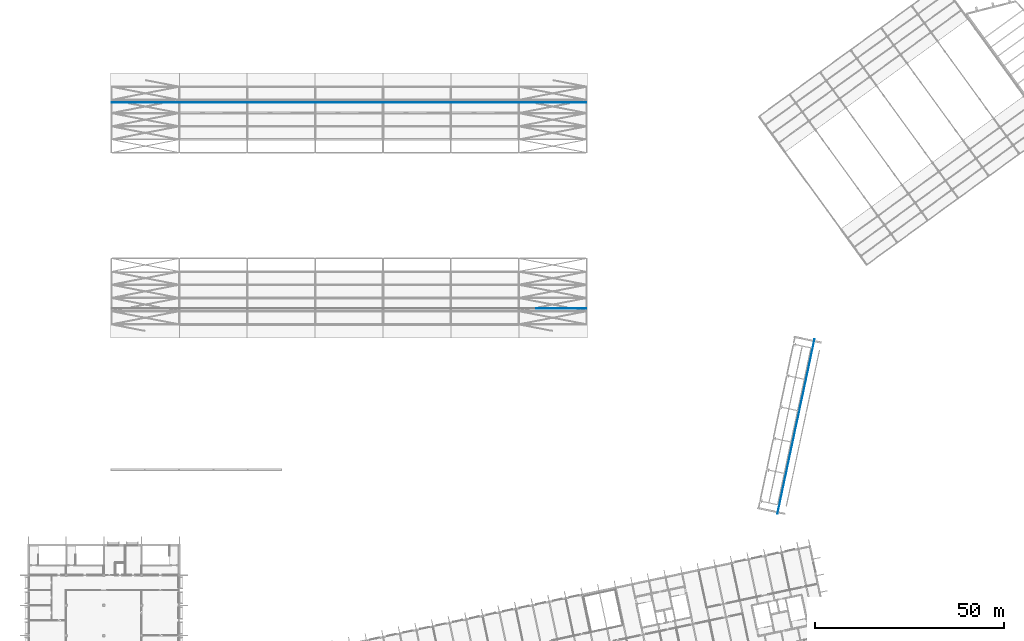
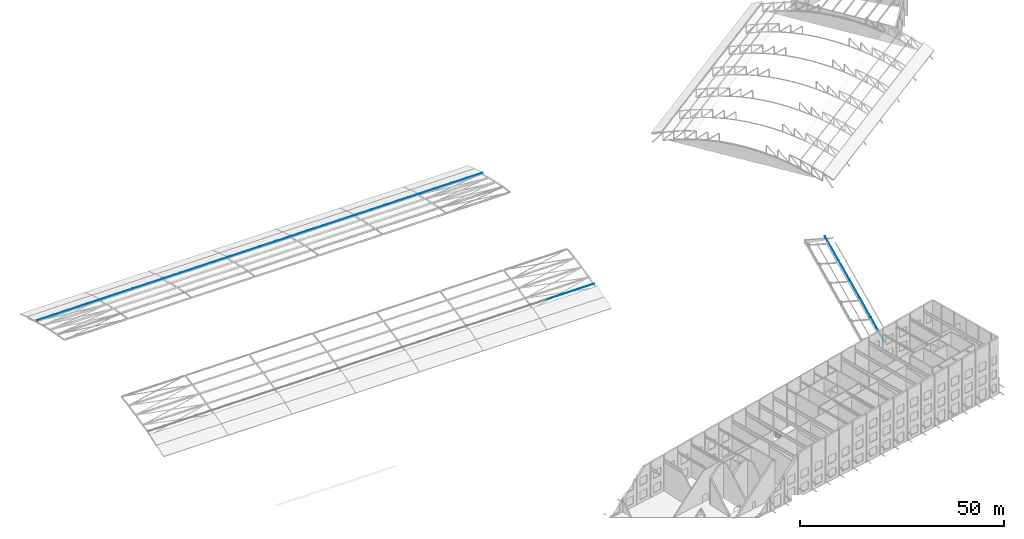
# One storey, part 54 of 69: 36 discrete accessories.
"""IFC4 building model written with IfcOpenShell, lengths in metres."""

from ifc_helpers import new_model, si_unit, direction, frame, origin, place, context, subcontext, project, spatial, polyline, outline, extrude, material, type_object, element, save


model = new_model("IFC4")

# Units and contexts
model_context = context("Model", 3, precision=1e-05, world=origin(), true_north=direction((0.0, 1.0)))
body_context = subcontext(model_context, "Body", "Model", "MODEL_VIEW")
ifc_project = project(units=[si_unit("LENGTHUNIT", "METRE"), si_unit("AREAUNIT", "SQUARE_METRE"), si_unit("VOLUMEUNIT", "CUBIC_METRE"), si_unit("PLANEANGLEUNIT", "RADIAN"), si_unit("MASSUNIT", "GRAM", prefix="KILO")], contexts=[model_context])

# Site, building, storey
site_placement = place(None, origin())
site = spatial("IfcSite", under=ifc_project, at=site_placement, CompositionType="ELEMENT")
building_placement = place(site_placement, origin())
building = spatial("IfcBuilding", under=site, at=building_placement, Name="Okhra Congress Centre", CompositionType="ELEMENT")
storey_placement = place(building_placement, frame((0.0, 0.0, 16.800048828125)))
storey = spatial("IfcBuildingStorey", under=building, at=storey_placement, Name="L03", CompositionType="ELEMENT", Elevation=16.800048828125)

# Discrete accessories
ifc_material_1 = material(Name="Stainless steel snow retention bar clamped to the standing seams", Category="steel")
discrete_accessory_type_1 = type_object("IfcDiscreteAccessoryType", Name="Snow guard bar 40x120", PredefinedType="USERDEFINED", material=ifc_material_1)
discrete_accessory_1_placement = place(storey_placement, frame((204.537109375, 92.24560546875, 0.7314453125), z_axis=(0.136197743979, -0.028950245097, 0.990258581303), x_axis=(0.96863019603, -0.205833916656, -0.139240590679)))
element("IfcDiscreteAccessory", 1, at=discrete_accessory_1_placement, inside=storey, type_object=discrete_accessory_type_1, Name="Snow guard bar", ObjectType="SNOW GUARD", PredefinedType="USERDEFINED", context=body_context, shape_type="SweptSolid", body=[
    extrude(outline(polyline([(0.0, 0.0), (0.040327567899596094, 4.734914175151539e-19), (0.04094833310090952, 10.849897498685204), (0.0006207652013130449, 10.849897498685202), (0.0, 0.0)])), origin(), (0.0, 0.0, -1.0), 0.1201171875),
])
discrete_accessory_2_placement = place(storey_placement, frame((206.813720703125, 102.956298828125, 0.7314453125), z_axis=(0.135799577055, -0.028865581341, 0.990315734039), x_axis=(0.968686099802, -0.205845799567, -0.138833522075)))
element("IfcDiscreteAccessory", 2, at=discrete_accessory_2_placement, inside=storey, type_object=discrete_accessory_type_1, Name="Snow guard bar", ObjectType="SNOW GUARD", PredefinedType="USERDEFINED", context=body_context, shape_type="SweptSolid", body=[
    extrude(outline(polyline([(0.0, 0.0), (0.04032756449249564, 2.286988957586611e-19), (0.04092468836031263, 8.399897341205056), (0.00036062823798244104, 8.399846594172727), (0.0, 0.0)])), origin(), (0.0, 0.0, -1.0), 0.1201171875),
])
discrete_accessory_3_placement = place(storey_placement, frame((208.5810546875, 111.2705078125, 0.7314453125), z_axis=(0.136113426306, -0.028929841132, 0.990270770785), x_axis=(0.968642119162, -0.205836450824, -0.139153873456)))
element("IfcDiscreteAccessory", 3, at=discrete_accessory_3_placement, inside=storey, type_object=discrete_accessory_type_1, Name="Snow guard bar", ObjectType="SNOW GUARD", PredefinedType="USERDEFINED", context=body_context, shape_type="SweptSolid", body=[
    extrude(outline(polyline([(0.0, 0.0), (0.04032756774497093, -1.311207002349657e-18), (0.040688203077319365, 8.399846594188038), (0.0003103822925962785, 8.400085402461587), (0.0, 0.0)])), origin(), (0.0, 0.0, -1.0), 0.1201171875),
])
discrete_accessory_4_placement = place(storey_placement, frame((210.34814453125, 119.584716796875, 0.7314453125), z_axis=(0.136197513436, -0.028951329999, 0.990258581293), x_axis=(0.96863019603, -0.205833916656, -0.139240590679)))
element("IfcDiscreteAccessory", 4, at=discrete_accessory_4_placement, inside=storey, type_object=discrete_accessory_type_1, Name="Snow guard bar", ObjectType="SNOW GUARD", PredefinedType="USERDEFINED", context=body_context, shape_type="SweptSolid", body=[
    extrude(outline(polyline([(0.0, 0.0), (0.040327567899596094, -1.4916250201148229e-18), (0.04087443248170543, 8.400136149467448), (0.0005468645821093965, 8.400136149467448), (0.0, 0.0)])), origin(), (0.0, 0.0, -1.0), 0.1201171875),
])
discrete_accessory_5_placement = place(storey_placement, frame((212.115478515625, 127.89892578125, 0.7314453125), z_axis=(0.136197879382, -0.028949607911, 0.990258581308), x_axis=(0.96863019603, -0.205833916656, -0.139240590679)))
element("IfcDiscreteAccessory", 5, at=discrete_accessory_5_placement, inside=storey, type_object=discrete_accessory_type_1, Name="Snow guard bar", ObjectType="SNOW GUARD", PredefinedType="USERDEFINED", context=body_context, shape_type="SweptSolid", body=[
    extrude(outline(polyline([(0.0, 0.0), (0.040327567899596094, -6.750852589616774e-19), (0.040898080679850915, 10.850136306943863), (0.0005705127802544396, 10.850136306943863), (0.0, 0.0)])), origin(), (0.0, 0.0, -1.0), 0.1201171875),
])
ifc_material_2 = material(Name="Stainless steel snow retention bar clamped to the roof seams", Category="steel")
discrete_accessory_type_2 = type_object("IfcDiscreteAccessoryType", Name="Snow guard rail 50x120", PredefinedType="USERDEFINED", material=ifc_material_2)
for number, where, z_axis, x_axis, name in (
    (6, (28.10009765625, 201.30224609375, 2.77392578125), (0.0, 0.269104536854, 0.963110974003), (1.0, 0.0, 0.0), "Snow guard rail"),
    (7, (32.60009765625, 201.30224609375, 2.77392578125), (0.0, 0.269104536854, 0.963110974003), (1.0, 0.0, 0.0), "Snow guard rail"),
    (8, (37.10009765625, 201.30224609375, 2.77392578125), (0.0, 0.269104536854, 0.963110974003), (1.0, 0.0, 0.0), "Snow guard rail"),
    (9, (41.60009765625, 201.30224609375, 2.77392578125), (0.0, 0.269104536854, 0.963110974003), (1.0, 0.0, 0.0), "Snow guard rail"),
    (10, (46.10009765625, 201.30224609375, 2.77392578125), (0.0, 0.269104536854, 0.963110974003), (1.0, 0.0, 0.0), "Snow guard rail"),
    (11, (50.60009765625, 201.30224609375, 2.77392578125), (0.0, 0.269104536854, 0.963110974003), (1.0, 0.0, 0.0), "Snow guard rail"),
    (12, (55.10009765625, 201.30224609375, 2.77392578125), (0.0, 0.269104536854, 0.963110974003), (1.0, 0.0, 0.0), "Snow guard rail"),
    (13, (59.60009765625, 201.30224609375, 2.77392578125), (0.0, 0.269104536854, 0.963110974003), (1.0, 0.0, 0.0), "Snow guard rail"),
    (14, (64.10009765625, 201.30224609375, 2.77392578125), (0.0, 0.269104536854, 0.963110974003), (1.0, 0.0, 0.0), "Snow guard rail"),
    (15, (68.60009765625, 201.30224609375, 2.77392578125), (0.0, 0.269104536854, 0.963110974003), (1.0, 0.0, 0.0), "Snow guard rail"),
    (16, (73.10009765625, 201.30224609375, 2.77392578125), (0.0, 0.269104536854, 0.963110974003), (1.0, 0.0, 0.0), "Snow guard rail"),
    (17, (77.60009765625, 201.30224609375, 2.77392578125), (0.0, 0.269104536854, 0.963110974003), (1.0, 0.0, 0.0), "Snow guard rail"),
    (18, (82.10009765625, 201.30224609375, 2.77392578125), (0.0, 0.269104536854, 0.963110974003), (1.0, 0.0, 0.0), "Snow guard rail"),
    (19, (86.60009765625, 201.30224609375, 2.77392578125), (0.0, 0.269104536854, 0.963110974003), (1.0, 0.0, 0.0), "Snow guard rail"),
    (20, (91.10009765625, 201.30224609375, 2.77392578125), (0.0, 0.269104536854, 0.963110974003), (1.0, 0.0, 0.0), "Snow guard rail"),
    (21, (95.60009765625, 201.30224609375, 2.77392578125), (0.0, 0.269104536854, 0.963110974003), (1.0, 0.0, 0.0), "Snow guard rail"),
    (22, (100.10009765625, 201.30224609375, 2.77392578125), (0.0, 0.269104536854, 0.963110974003), (1.0, 0.0, 0.0), "Snow guard rail"),
    (23, (104.60009765625, 201.30224609375, 2.77392578125), (0.0, 0.269104536854, 0.963110974003), (1.0, 0.0, 0.0), "Snow guard rail"),
    (24, (109.10009765625, 201.30224609375, 2.77392578125), (0.0, 0.269104536854, 0.963110974003), (1.0, 0.0, 0.0), "Snow guard rail"),
    (25, (113.60009765625, 201.30224609375, 2.77392578125), (0.0, 0.269104536854, 0.963110974003), (1.0, 0.0, 0.0), "Snow guard rail"),
    (26, (118.10009765625, 201.30224609375, 2.77392578125), (0.0, 0.269104536854, 0.963110974003), (1.0, 0.0, 0.0), "Snow guard rail"),
    (27, (122.60009765625, 201.30224609375, 2.77392578125), (0.0, 0.269104536854, 0.963110974003), (1.0, 0.0, 0.0), "Snow guard rail"),
    (28, (127.10009765625, 201.30224609375, 2.77392578125), (0.0, 0.269104536854, 0.963110974003), (1.0, 0.0, 0.0), "Snow guard rail"),
    (29, (131.60009765625, 201.30224609375, 2.77392578125), (0.0, 0.269104536854, 0.963110974003), (1.0, 0.0, 0.0), "Snow guard rail"),
    (30, (140.60009765625, 146.657958984375, 2.7626953125), (0.0, -0.269104536854, 0.963110974003), (1.0, 0.0, 0.0), "Snow guard rail"),
    (31, (145.10009765625, 146.657958984375, 2.7626953125), (0.0, -0.269104536854, 0.963110974003), (1.0, 0.0, 0.0), "Snow guard rail"),
    (32, (149.60009765625, 146.657958984375, 2.7626953125), (0.0, -0.269104536854, 0.963110974003), (1.0, 0.0, 0.0), "Snow guard rail"),
    (33, (136.10009765625, 201.30224609375, 2.77392578125), (0.0, 0.269104536854, 0.963110974003), (1.0, 0.0, 0.0), "Snow guard rail"),
    (34, (140.60009765625, 201.30224609375, 2.77392578125), (0.0, 0.269104536854, 0.963110974003), (1.0, 0.0, 0.0), "Snow guard rail"),
    (35, (145.10009765625, 201.30224609375, 2.77392578125), (0.0, 0.269104536854, 0.963110974003), (1.0, 0.0, 0.0), "Snow guard rail"),
    (36, (149.60009765625, 201.30224609375, 2.77392578125), (0.0, 0.269104536854, 0.963110974003), (1.0, 0.0, 0.0), "Snow guard rail"),
):
    element("IfcDiscreteAccessory", number, at=place(storey_placement, frame(where, z_axis=z_axis, x_axis=x_axis)), inside=storey, type_object=discrete_accessory_type_2, Name=name, ObjectType="SNOW GUARD", PredefinedType="USERDEFINED", context=body_context, shape_type="SweptSolid", body=[
        extrude(outline(polyline([(0.0, 0.0), (4.2998046875, 0.0), (4.2998046875, 0.05171230402764801), (0.0, 0.05171230402764801), (0.0, 0.0)])), origin(), (0.0, 0.0, -1.0), 0.1201171875),
    ])

save(model, "model.ifc")
